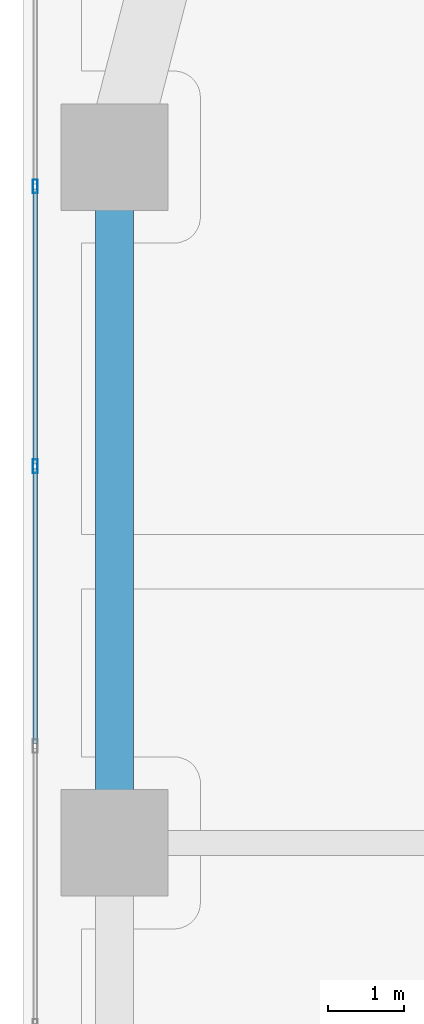
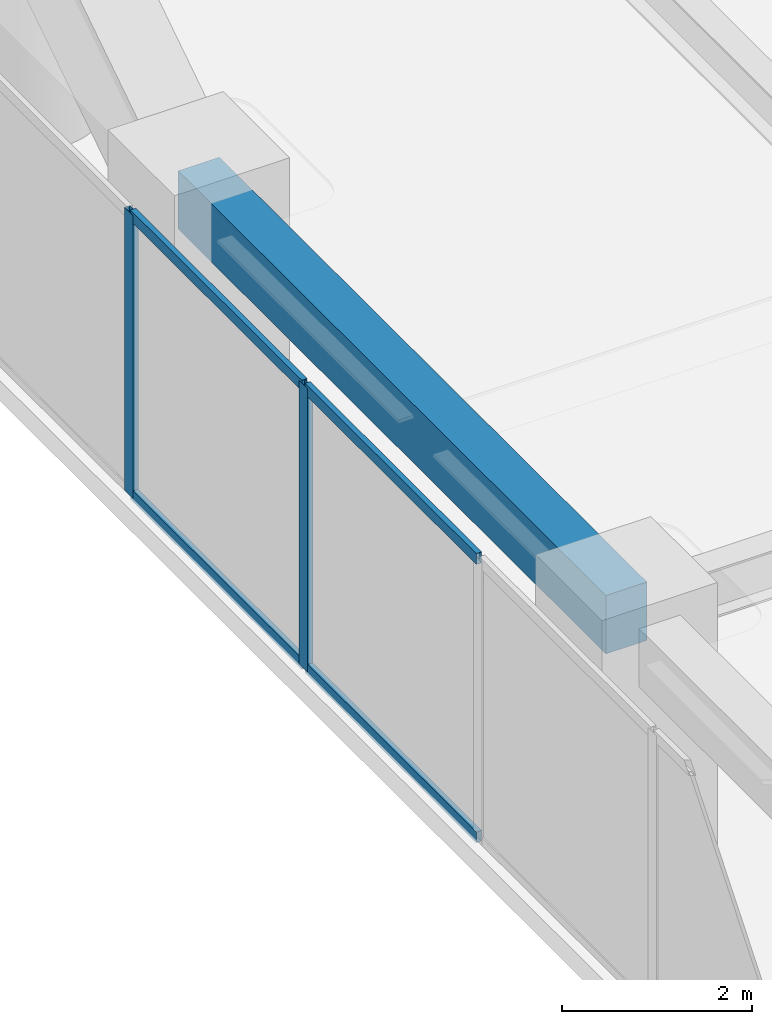
# One storey, part 9 of 24: 6 members, 1 beam, 1 element without a shape of its own.
"""IFC4 building model written with IfcOpenShell, lengths in metres."""

from ifc_helpers import new_model, si_unit, direction, frame, origin, origin_2d, place, context, subcontext, project, spatial, rectangle, hollow_rectangle, extrude, material, layer, layer_set, material_profile, profile_set, type_object, element, aggregate, save


model = new_model("IFC4")

# Units and contexts
model_context = context("Model", 3, precision=1e-05, world=origin(), true_north=direction((0.0, 1.0)))
body_context = subcontext(model_context, "Body", "Model", "MODEL_VIEW")
ifc_project = project(units=[si_unit("LENGTHUNIT", "METRE"), si_unit("AREAUNIT", "SQUARE_METRE"), si_unit("VOLUMEUNIT", "CUBIC_METRE"), si_unit("PLANEANGLEUNIT", "RADIAN"), si_unit("MASSUNIT", "GRAM", prefix="KILO")], contexts=[model_context])

# Site, building, storey
site_placement = place(None, origin())
site = spatial("IfcSite", under=ifc_project, at=site_placement, CompositionType="ELEMENT")
building_placement = place(site_placement, origin())
building = spatial("IfcBuilding", under=site, at=building_placement, Name="Kiyonajd Concourse Tower", CompositionType="ELEMENT")
storey_placement = place(building_placement, frame((0.0, 0.0, 105.300048828125)))
storey = spatial("IfcBuildingStorey", under=building, at=storey_placement, Name="L27", CompositionType="ELEMENT", Elevation=105.300048828125)

# Beam
ifc_material_1 = material(Name="Precast concrete C50/60", Category="concrete")
ifc_material_profile_1 = material_profile(ifc_material_1, rectangle(XDim=0.5, YDim=0.75, at=origin_2d()), Name="RCBM-500x750")
ifc_profile_set_1 = profile_set([ifc_material_profile_1], Name="Precast concrete C50/60")
beam_type = type_object("IfcBeamType", Name="BM-SPAN-RC", PredefinedType="SPANDREL", material=ifc_profile_set_1)
beam_placement = place(storey_placement, frame((19.199951171875, 53.39990234375, 3.264892578125), z_axis=(0.0, -1.0, 0.0), x_axis=(1.0, 0.0, 0.0)))
element("IfcBeam", 1, at=beam_placement, inside=storey, type_object=beam_type, Name="L27 Perimeter Bundled Tube Spandrel", PredefinedType="SPANDREL", context=body_context, shape_type="SweptSolid", body=[
    extrude(rectangle(XDim=0.5, YDim=0.75, at=origin_2d()), origin(), (0.0, 0.0, 1.0), 9.0),
])

# Curtain wall, members
ifc_material_2 = material(Name="Thermally Broken Anodised Aluminium", Category="aluminium")
ifc_layer = layer(ifc_material_2, 0.179931640625)
ifc_layer_set = layer_set([ifc_layer], Name="Thermally Broken Anodised Aluminium")
curtain_wall_type = type_object("IfcCurtainWallType", Name="CW-SYS-03", PredefinedType="NOTDEFINED", material=ifc_layer_set)
curtain_wall_placement = place(storey_placement, origin())
curtain_wall = element("IfcCurtainWall", 2, at=curtain_wall_placement, inside=storey, type_object=curtain_wall_type, Name="L27 Unitised Curtain Wall CW3", PredefinedType="NOTDEFINED")
ifc_material_profile_2 = material_profile(ifc_material_2, hollow_rectangle(XDim=0.06494140625, YDim=0.179931640625, WallThickness=0.00390625, at=origin_2d()), Name="MULL-65x180")
ifc_profile_set_2 = profile_set([ifc_material_profile_2], Name="Thermally Broken Anodised Aluminium")
member_type_1 = type_object("IfcMemberType", Name="MB-CW-MULL1", PredefinedType="MULLION", material=ifc_profile_set_2)
member_1_placement = place(storey_placement, frame((18.159912109375, 49.342529296875, 0.0), z_axis=(0.0, 0.0, 1.0), x_axis=(-1.0, 0.0, 0.0)))
member_1 = element("IfcMember", 3, at=member_1_placement, type_object=member_type_1, Name="CW3 mullion 5", PredefinedType="MULLION", context=body_context, shape_type="SweptSolid", body=[
    extrude(hollow_rectangle(XDim=0.06494140625, YDim=0.179931640625, WallThickness=0.00390625, at=origin_2d()), origin(), (0.0, 0.0, 1.0), 3.639892578125),
])
member_2_placement = place(storey_placement, frame((18.159912109375, 53.015869140625, 0.0), z_axis=(0.0, 0.0, 1.0), x_axis=(-1.0, 0.0, 0.0)))
member_2 = element("IfcMember", 4, at=member_2_placement, type_object=member_type_1, Name="CW3 mullion 6", PredefinedType="MULLION", context=body_context, shape_type="SweptSolid", body=[
    extrude(hollow_rectangle(XDim=0.06494140625, YDim=0.179931640625, WallThickness=0.00390625, at=origin_2d()), origin(), (0.0, 0.0, 1.0), 3.639892578125),
])
ifc_material_profile_3 = material_profile(ifc_material_2, hollow_rectangle(XDim=0.06494140625, YDim=0.139892578125, WallThickness=0.00390625, at=origin_2d()), Name="TRAN-65x140")
ifc_profile_set_3 = profile_set([ifc_material_profile_3], Name="Thermally Broken Anodised Aluminium")
member_type_2 = type_object("IfcMemberType", Name="MB-CW-TRAN1", PredefinedType="USERDEFINED", material=ifc_profile_set_3)
member_3_placement = place(storey_placement, frame((18.159912109375, 45.701904296875, 0.032470703125), z_axis=(0.0, 1.0, 0.0), x_axis=(-1.0, 0.0, 0.0)))
member_3 = element("IfcMember", 5, at=member_3_placement, type_object=member_type_2, Name="CW3 transom 4.1", ObjectType="TRANSOM", PredefinedType="USERDEFINED", context=body_context, shape_type="SweptSolid", body=[
    extrude(hollow_rectangle(XDim=0.06494140625, YDim=0.139892578125, WallThickness=0.00390625, at=origin_2d()), origin(), (0.0, 0.0, 1.0), 3.608154296875),
])
member_4_placement = place(storey_placement, frame((18.159912109375, 45.701904296875, 3.607421875), z_axis=(0.0, 1.0, 0.0), x_axis=(-1.0, 0.0, 0.0)))
member_4 = element("IfcMember", 6, at=member_4_placement, type_object=member_type_2, Name="CW3 transom 4.2", ObjectType="TRANSOM", PredefinedType="USERDEFINED", context=body_context, shape_type="SweptSolid", body=[
    extrude(hollow_rectangle(XDim=0.06494140625, YDim=0.139892578125, WallThickness=0.00390625, at=origin_2d()), origin(), (0.0, 0.0, 1.0), 3.608154296875),
])
member_5_placement = place(storey_placement, frame((18.159912109375, 49.375, 0.032470703125), z_axis=(0.0, 1.0, 0.0), x_axis=(-1.0, 0.0, 0.0)))
member_5 = element("IfcMember", 7, at=member_5_placement, type_object=member_type_2, Name="CW3 transom 5.1", ObjectType="TRANSOM", PredefinedType="USERDEFINED", context=body_context, shape_type="SweptSolid", body=[
    extrude(hollow_rectangle(XDim=0.06494140625, YDim=0.139892578125, WallThickness=0.00390625, at=origin_2d()), origin(), (0.0, 0.0, 1.0), 3.608154296875),
])
member_6_placement = place(storey_placement, frame((18.159912109375, 49.375, 3.607421875), z_axis=(0.0, 1.0, 0.0), x_axis=(-1.0, 0.0, 0.0)))
member_6 = element("IfcMember", 8, at=member_6_placement, type_object=member_type_2, Name="CW3 transom 5.2", ObjectType="TRANSOM", PredefinedType="USERDEFINED", context=body_context, shape_type="SweptSolid", body=[
    extrude(hollow_rectangle(XDim=0.06494140625, YDim=0.139892578125, WallThickness=0.00390625, at=origin_2d()), origin(), (0.0, 0.0, 1.0), 3.608154296875),
])
aggregate(curtain_wall, [member_1, member_2, member_3, member_4, member_5, member_6])

save(model, "model.ifc")
